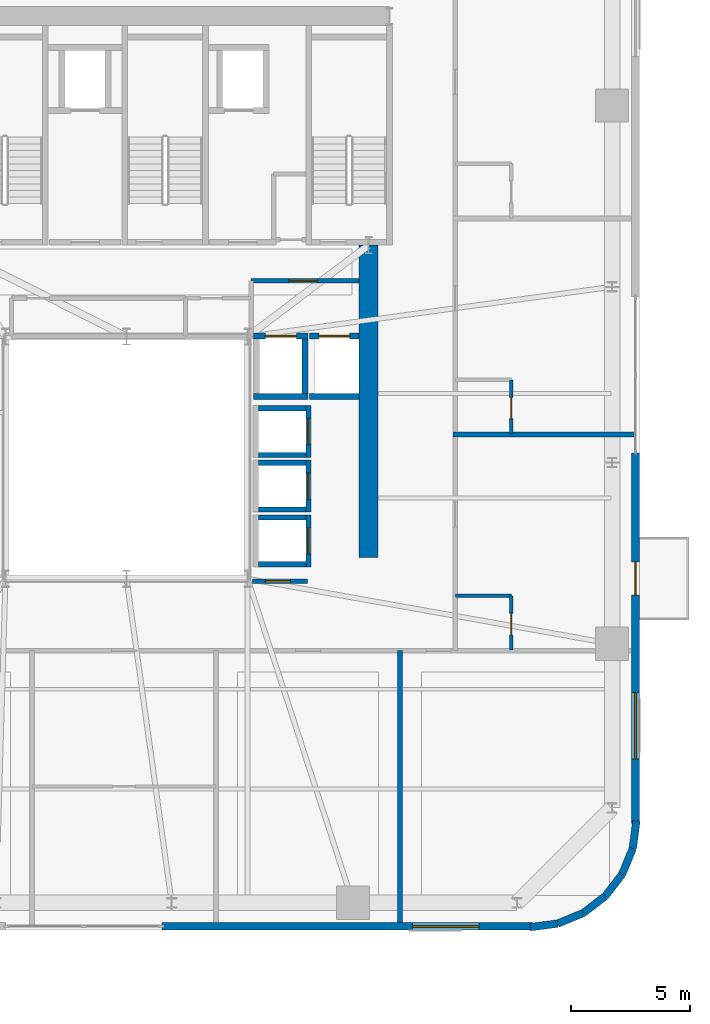
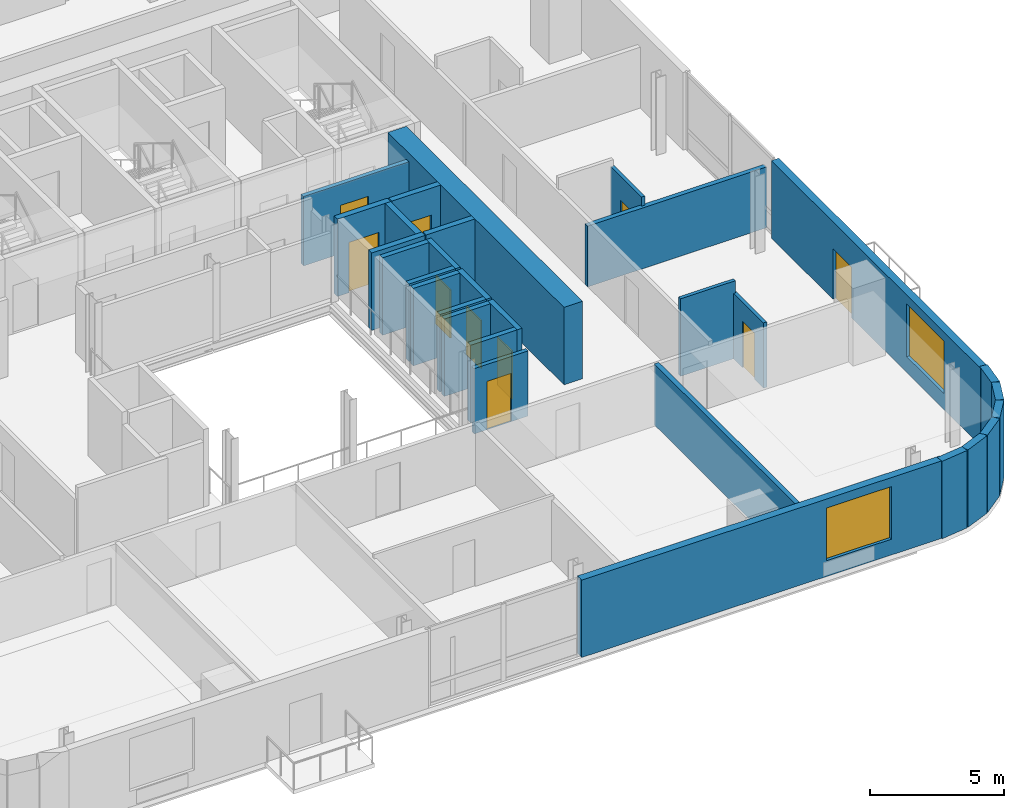
# One storey, part 9 of 16: 30 walls, 10 doors, 2 windows, 12 openings.
"""IFC4 building model written with IfcOpenShell, lengths in metres."""

from ifc_helpers import new_model, si_unit, direction, frame, frame_2d, origin, place, context, subcontext, project, spatial, rectangle, extrude, source, transform, mapped, material, layer, layer_set, type_object, element, fill, save


model = new_model("IFC4")

# Units and contexts
model_context = context("Model", 3, precision=1e-05, world=origin(), true_north=direction((0.0, 1.0)))
body_context = subcontext(model_context, "Body", "Model", "MODEL_VIEW")
ifc_project = project(units=[si_unit("LENGTHUNIT", "METRE"), si_unit("AREAUNIT", "SQUARE_METRE"), si_unit("VOLUMEUNIT", "CUBIC_METRE"), si_unit("PLANEANGLEUNIT", "RADIAN"), si_unit("MASSUNIT", "GRAM", prefix="KILO")], contexts=[model_context])

# Site, building, storey
site_placement = place(None, origin())
site = spatial("IfcSite", under=ifc_project, at=site_placement, CompositionType="ELEMENT")
building_placement = place(site_placement, origin())
building = spatial("IfcBuilding", under=site, at=building_placement, Name="Vardaveli Station Tower", CompositionType="ELEMENT")
storey_placement = place(building_placement, frame((0.0, 0.0, 188.550048828125)))
storey = spatial("IfcBuildingStorey", under=building, at=storey_placement, Name="L48", CompositionType="ELEMENT", Elevation=188.550048828125)

# Wall
ifc_material_1 = material(Name="Concrete C50/60", Category="concrete")
ifc_layer_1 = layer(ifc_material_1, 0.800048828125, Name="Concrete C50/60")
ifc_layer_set_1 = layer_set([ifc_layer_1], Name="Concrete C50/60")
wall_type_1 = type_object("IfcWallType", Name="WAL-CORE-800", PredefinedType="SHEAR", material=ifc_layer_set_1)
shared_shape_1 = source(origin(), body_context, "Body", "SweptSolid", [
    extrude(rectangle(XDim=13.14990234375, YDim=0.800048828125, at=frame_2d((6.574951171875, 0.0))), origin(), (0.0, 0.0, 1.0), 3.530029296875),
])
wall_1_placement = place(storey_placement, frame((46.5, 17.5, 0.0), z_axis=(0.0, 0.0, 1.0), x_axis=(0.0, 1.0, 0.0)))
element("IfcWall", 1, at=wall_1_placement, inside=storey, type_object=wall_type_1, Name="SW-L48-EAST2", PredefinedType="SHEAR", context=body_context, shape_type="MappedRepresentation", body=[
    mapped(shared_shape_1, transform((0.0, 0.0, 0.0), scale=1.0)),
])

# Wall, opening, window
ifc_material_2 = material(Name="Precast concrete C45/55", Category="concrete")
ifc_layer_2 = layer(ifc_material_2, 0.320068359375, Name="Precast concrete C45/55")
ifc_layer_set_2 = layer_set([ifc_layer_2], Name="Precast concrete C45/55")
wall_type_2 = type_object("IfcWallType", Name="WAL-EXT-STONE-320", PredefinedType="SOLIDWALL", material=ifc_layer_set_2)
shared_shape_2 = source(origin(), body_context, "Body", "SweptSolid", [
    extrude(rectangle(XDim=15.599853515625, YDim=0.320068359375, at=frame_2d((7.7998046875, 0.0))), origin(), (0.0, 0.0, 1.0), 3.530029296875),
])
wall_2_placement = place(storey_placement, frame((37.800048828125, 1.9599609375, 0.0), z_axis=(0.0, 0.0, 1.0), x_axis=(1.0, 0.0, 0.0)))
wall_2 = element("IfcWall", 2, at=wall_2_placement, inside=storey, type_object=wall_type_2, Name="EW-L48-S2", PredefinedType="SOLIDWALL", context=body_context, shape_type="MappedRepresentation", body=[
    mapped(shared_shape_2, transform((0.0, 0.0, 0.0), scale=1.0)),
])
shared_shape_3 = source(origin(), body_context, "Body", "SweptSolid", [
    extrude(rectangle(XDim=2.800048828125, YDim=2.39990234375, at=frame_2d((1.39990234375, 1.199951171875))), frame((0.0, 0.169921875, 0.0), z_axis=(0.0, -1.0, 0.0), x_axis=(1.0, 0.0, 0.0)), (0.0, 0.0, 1.0), 0.340087890625),
])
opening_1_placement = place(wall_2_placement, frame((10.544921875, 0.0, 0.719970703125)))
opening_1 = element("IfcOpeningElement", 3, at=opening_1_placement, cuts=wall_2, Name="Opening W-04", PredefinedType="OPENING", context=body_context, shape_type="MappedRepresentation", body=[
    mapped(shared_shape_3, transform((0.0, 0.0, 0.0), scale=1.0)),
])
ifc_material_3 = material(Name="Low-E solar-control glass", Category="glass")
window_type = type_object("IfcWindowType", Name="WIN-SUITE-2800x2400", PartitioningType="SINGLE_PANEL", PredefinedType="WINDOW", material=ifc_material_3)
shared_shape_4 = source(origin(), body_context, "Body", "SweptSolid", [
    extrude(rectangle(XDim=2.800048828125, YDim=2.39990234375, at=frame_2d((1.39990234375, 1.199951171875))), frame((0.0, 0.030029296875, 0.0), z_axis=(0.0, -1.0, 0.0), x_axis=(1.0, 0.0, 0.0)), (0.0, 0.0, 1.0), 0.06005859375),
])
window_1_placement = place(opening_1_placement, origin())
window_1 = element("IfcWindow", 4, at=window_1_placement, inside=storey, type_object=window_type, Name="WN-L48-S2", OverallHeight=2.39990234375, OverallWidth=2.800048828125, PartitioningType="SINGLE_PANEL", PredefinedType="WINDOW", context=body_context, shape_type="MappedRepresentation", body=[
    mapped(shared_shape_4, transform((0.0, 0.0, 0.0), scale=1.0)),
])
fill(opening_1, window_1)

# Wall, openings, door, window
wall_3_placement = place(storey_placement, frame((57.739990234375, 6.300048828125, 0.0), z_axis=(0.0, 0.0, 1.0), x_axis=(0.0, 1.0, 0.0)))
wall_3 = element("IfcWall", 5, at=wall_3_placement, inside=storey, type_object=wall_type_2, Name="EW-L48-E1", PredefinedType="SOLIDWALL", context=body_context, shape_type="MappedRepresentation", body=[
    mapped(shared_shape_2, transform((0.0, 0.0, 0.0), scale=1.0)),
])
shared_shape_5 = source(origin(), body_context, "Body", "SweptSolid", [
    extrude(rectangle(XDim=1.39990234375, YDim=2.300048828125, at=frame_2d((0.699951171875, 1.14990234375))), frame((0.0, 0.169921875, 0.0), z_axis=(0.0, -1.0, 0.0), x_axis=(1.0, 0.0, 0.0)), (0.0, 0.0, 1.0), 0.340087890625),
])
opening_2_placement = place(wall_3_placement, frame((9.6103515625, 0.0, 0.0)))
opening_2 = element("IfcOpeningElement", 6, at=opening_2_placement, cuts=wall_3, Name="Opening D-09", PredefinedType="OPENING", context=body_context, shape_type="MappedRepresentation", body=[
    mapped(shared_shape_5, transform((0.0, 0.0, 0.0), scale=1.0)),
])
opening_3_placement = place(wall_3_placement, frame((2.705078125, 0.0, 0.719970703125)))
opening_3 = element("IfcOpeningElement", 7, at=opening_3_placement, cuts=wall_3, Name="Opening W-04", PredefinedType="OPENING", context=body_context, shape_type="MappedRepresentation", body=[
    mapped(shared_shape_3, transform((0.0, 0.0, 0.0), scale=1.0)),
])
ifc_material_4 = material(Name="Thermally broken aluminium glass", Category="aluminium")
door_type_1 = type_object("IfcDoorType", Name="DR-LOG-1400x2300", OperationType="DOUBLE_DOOR_SLIDING", PredefinedType="DOOR", material=ifc_material_4)
shared_shape_6 = source(origin(), body_context, "Body", "SweptSolid", [
    extrude(rectangle(XDim=1.39990234375, YDim=2.300048828125, at=frame_2d((0.699951171875, 1.14990234375))), frame((0.0, 0.02490234375, 0.0), z_axis=(0.0, -1.0, 0.0), x_axis=(1.0, 0.0, 0.0)), (0.0, 0.0, 1.0), 0.050048828125),
])
door_1_placement = place(opening_2_placement, frame((1.39990234375, 0.0, 0.0), z_axis=(0.0, 0.0, 1.0), x_axis=(-1.0, 0.0, 0.0)))
door_1 = element("IfcDoor", 8, at=door_1_placement, inside=storey, type_object=door_type_1, Name="DLG-L48-E", OperationType="DOUBLE_DOOR_SLIDING", OverallHeight=2.300048828125, OverallWidth=1.39990234375, PredefinedType="DOOR", context=body_context, shape_type="MappedRepresentation", body=[
    mapped(shared_shape_6, transform((0.0, 0.0, 0.0), scale=1.0)),
])
fill(opening_2, door_1)
window_2_placement = place(opening_3_placement, origin())
window_2 = element("IfcWindow", 9, at=window_2_placement, inside=storey, type_object=window_type, Name="WN-L48-E1", OverallHeight=2.39990234375, OverallWidth=2.800048828125, PartitioningType="SINGLE_PANEL", PredefinedType="WINDOW", context=body_context, shape_type="MappedRepresentation", body=[
    mapped(shared_shape_4, transform((0.0, 0.0, 0.0), scale=1.0)),
])
fill(opening_3, window_2)

# Walls
shared_shape_7 = source(origin(), body_context, "Body", "SweptSolid", [
    extrude(rectangle(XDim=1.170654296875, YDim=0.320068359375, at=frame_2d((0.58544921875, 0.0))), origin(), (0.0, 0.0, 1.0), 3.530029296875),
])
wall_4_placement = place(storey_placement, frame((57.62548828125, 5.23974609375, 0.0), z_axis=(0.0, 0.0, 1.0), x_axis=(0.128269133229, 0.991739395941, 0.0)))
element("IfcWall", 10, at=wall_4_placement, inside=storey, type_object=wall_type_2, Name="EW-L48-CR2-6", PredefinedType="SOLIDWALL", context=body_context, shape_type="MappedRepresentation", body=[
    mapped(shared_shape_7, transform((0.0, 0.0, 0.0), scale=1.0)),
])
shared_shape_8 = source(origin(), body_context, "Body", "SweptSolid", [
    extrude(rectangle(XDim=1.1689453125, YDim=0.320068359375, at=frame_2d((0.58447265625, 0.0))), origin(), (0.0, 0.0, 1.0), 3.530029296875),
])
for number, where, z_axis, x_axis, name in (
    (11, (56.46875, 3.231201171875, 0.0), (0.0, 0.0, 1.0), (0.608387696831, 0.793639975269, 0.0), "EW-L48-CR2-4"),
    (12, (57.179931640625, 4.158935546875, 0.0), (0.0, 0.0, 1.0), (0.381127904695, 0.924522320046, 0.0), "EW-L48-CR2-5"),
):
    element("IfcWall", number, at=place(storey_placement, frame(where, z_axis=z_axis, x_axis=x_axis)), inside=storey, type_object=wall_type_2, Name=name, PredefinedType="SOLIDWALL", context=body_context, shape_type="MappedRepresentation", body=[
        mapped(shared_shape_8, transform((0.0, 0.0, 0.0), scale=1.0)),
    ])
shared_shape_9 = source(origin(), body_context, "Body", "SweptSolid", [
    extrude(rectangle(XDim=1.168701171875, YDim=0.320068359375, at=frame_2d((0.58447265625, 0.0))), origin(), (0.0, 0.0, 1.0), 3.530029296875),
])
wall_5_placement = place(storey_placement, frame((55.541259765625, 2.520263671875, 0.0), z_axis=(0.0, 0.0, 1.0), x_axis=(0.793663520347, 0.608356981114, 0.0)))
element("IfcWall", 13, at=wall_5_placement, inside=storey, type_object=wall_type_2, Name="EW-L48-CR2-3", PredefinedType="SOLIDWALL", context=body_context, shape_type="MappedRepresentation", body=[
    mapped(shared_shape_9, transform((0.0, 0.0, 0.0), scale=1.0)),
])
shared_shape_10 = source(origin(), body_context, "Body", "SweptSolid", [
    extrude(rectangle(XDim=1.16943359375, YDim=0.320068359375, at=frame_2d((0.584716796875, 0.0))), origin(), (0.0, 0.0, 1.0), 3.530029296875),
])
wall_6_placement = place(storey_placement, frame((54.460205078125, 2.074462890625, 0.0), z_axis=(0.0, 0.0, 1.0), x_axis=(0.924479075121, 0.381232789334, 0.0)))
element("IfcWall", 14, at=wall_6_placement, inside=storey, type_object=wall_type_2, Name="EW-L48-CR2-2", PredefinedType="SOLIDWALL", context=body_context, shape_type="MappedRepresentation", body=[
    mapped(shared_shape_10, transform((0.0, 0.0, 0.0), scale=1.0)),
])
shared_shape_11 = source(origin(), body_context, "Body", "SweptSolid", [
    extrude(rectangle(XDim=1.170166015625, YDim=0.320068359375, at=frame_2d((0.5849609375, 0.0))), origin(), (0.0, 0.0, 1.0), 3.530029296875),
])
wall_7_placement = place(storey_placement, frame((53.299560546875, 1.924560546875, 0.0), z_axis=(0.0, 0.0, 1.0), x_axis=(0.991762485493, 0.128090485085, 0.0)))
element("IfcWall", 15, at=wall_7_placement, inside=storey, type_object=wall_type_2, Name="EW-L48-CR2-1", PredefinedType="SOLIDWALL", context=body_context, shape_type="MappedRepresentation", body=[
    mapped(shared_shape_11, transform((0.0, 0.0, 0.0), scale=1.0)),
])
ifc_material_5 = material(Name="Concrete C40/50", Category="concrete")
ifc_layer_3 = layer(ifc_material_5, 0.219970703125, Name="Concrete C40/50")
ifc_layer_set_3 = layer_set([ifc_layer_3], Name="Concrete C40/50")
wall_type_3 = type_object("IfcWallType", Name="WAL-FFLOBBY-220", PredefinedType="SOLIDWALL", material=ifc_layer_set_3)
shared_shape_12 = source(origin(), body_context, "Body", "SweptSolid", [
    extrude(rectangle(XDim=2.0, YDim=0.219970703125, at=frame_2d((1.0, 0.0))), origin(), (0.0, 0.0, 1.0), 3.530029296875),
])
for number, where, z_axis, x_axis, name in (
    (16, (41.85009765625, 21.81494140625, 0.0), (0.0, 0.0, 1.0), (1.0, 0.0, 0.0), "SHW-HL3-01-L48-S"),
    (17, (41.85009765625, 23.784912109375, 0.0), (0.0, 0.0, 1.0), (1.0, 0.0, 0.0), "SHW-HL3-01-L48-N"),
    (18, (41.85009765625, 19.514892578125, 0.0), (0.0, 0.0, 1.0), (1.0, 0.0, 0.0), "SHW-HL3-02-L48-S"),
    (19, (41.85009765625, 21.485107421875, 0.0), (0.0, 0.0, 1.0), (1.0, 0.0, 0.0), "SHW-HL3-02-L48-N"),
    (20, (41.85009765625, 17.215087890625, 0.0), (0.0, 0.0, 1.0), (1.0, 0.0, 0.0), "SHW-HL3-03-L48-S"),
    (21, (41.85009765625, 19.18505859375, 0.0), (0.0, 0.0, 1.0), (1.0, 0.0, 0.0), "SHW-HL3-03-L48-N"),
):
    element("IfcWall", number, at=place(storey_placement, frame(where, z_axis=z_axis, x_axis=x_axis)), inside=storey, type_object=wall_type_3, Name=name, PredefinedType="SOLIDWALL", context=body_context, shape_type="MappedRepresentation", body=[
        mapped(shared_shape_12, transform((0.0, 0.0, 0.0), scale=1.0)),
    ])

# Wall, opening, door
shared_shape_13 = source(origin(), body_context, "Body", "SweptSolid", [
    extrude(rectangle(XDim=2.18994140625, YDim=0.219970703125, at=frame_2d((1.094970703125, 0.0))), origin(), (0.0, 0.0, 1.0), 3.530029296875),
])
wall_8_placement = place(storey_placement, frame((43.9599609375, 21.705078125, 0.0), z_axis=(0.0, 0.0, 1.0), x_axis=(0.0, 1.0, 0.0)))
wall_8 = element("IfcWall", 22, at=wall_8_placement, inside=storey, type_object=wall_type_3, Name="SHW-HL3-01-L48-E", PredefinedType="SOLIDWALL", context=body_context, shape_type="MappedRepresentation", body=[
    mapped(shared_shape_13, transform((0.0, 0.0, 0.0), scale=1.0)),
])
shared_shape_14 = source(origin(), body_context, "Body", "SweptSolid", [
    extrude(rectangle(XDim=1.10009765625, YDim=2.199951171875, at=frame_2d((0.550048828125, 1.10009765625))), frame((0.0, 0.1201171875, 0.0), z_axis=(0.0, -1.0, 0.0), x_axis=(1.0, 0.0, 0.0)), (0.0, 0.0, 1.0), 0.239990234375),
])
opening_4_placement = place(wall_8_placement, frame((0.544921875, 0.0, 0.0)))
opening_4 = element("IfcOpeningElement", 23, at=opening_4_placement, cuts=wall_8, Name="Opening LD-01", PredefinedType="OPENING", context=body_context, shape_type="MappedRepresentation", body=[
    mapped(shared_shape_14, transform((0.0, 0.0, 0.0), scale=1.0)),
])
ifc_material_6 = material(Name="Brushed stainless steel", Category="steel")
door_type_2 = type_object("IfcDoorType", Name="DR-LD-1100x2200", OperationType="DOUBLE_DOOR_SLIDING", PredefinedType="DOOR", material=ifc_material_6)
shared_shape_15 = source(origin(), body_context, "Body", "SweptSolid", [
    extrude(rectangle(XDim=1.10009765625, YDim=2.199951171875, at=frame_2d((0.550048828125, 1.10009765625))), frame((0.0, 0.02490234375, 0.0), z_axis=(0.0, -1.0, 0.0), x_axis=(1.0, 0.0, 0.0)), (0.0, 0.0, 1.0), 0.050048828125),
])
door_2_placement = place(opening_4_placement, origin())
door_2 = element("IfcDoor", 24, at=door_2_placement, inside=storey, type_object=door_type_2, Name="LD-HL3-01-L48", OperationType="DOUBLE_DOOR_SLIDING", OverallHeight=2.199951171875, OverallWidth=1.10009765625, PredefinedType="DOOR", context=body_context, shape_type="MappedRepresentation", body=[
    mapped(shared_shape_15, transform((0.0, 0.0, 0.0), scale=1.0)),
])
fill(opening_4, door_2)

wall_9_placement = place(storey_placement, frame((43.9599609375, 19.405029296875, 0.0), z_axis=(0.0, 0.0, 1.0), x_axis=(0.0, 1.0, 0.0)))
wall_9 = element("IfcWall", 25, at=wall_9_placement, inside=storey, type_object=wall_type_3, Name="SHW-HL3-02-L48-E", PredefinedType="SOLIDWALL", context=body_context, shape_type="MappedRepresentation", body=[
    mapped(shared_shape_13, transform((0.0, 0.0, 0.0), scale=1.0)),
])
opening_5_placement = place(wall_9_placement, frame((0.544921875, 0.0, 0.0)))
opening_5 = element("IfcOpeningElement", 26, at=opening_5_placement, cuts=wall_9, Name="Opening LD-01", PredefinedType="OPENING", context=body_context, shape_type="MappedRepresentation", body=[
    mapped(shared_shape_14, transform((0.0, 0.0, 0.0), scale=1.0)),
])
door_3_placement = place(opening_5_placement, origin())
door_3 = element("IfcDoor", 27, at=door_3_placement, inside=storey, type_object=door_type_2, Name="LD-HL3-02-L48", OperationType="DOUBLE_DOOR_SLIDING", OverallHeight=2.199951171875, OverallWidth=1.10009765625, PredefinedType="DOOR", context=body_context, shape_type="MappedRepresentation", body=[
    mapped(shared_shape_15, transform((0.0, 0.0, 0.0), scale=1.0)),
])
fill(opening_5, door_3)

wall_10_placement = place(storey_placement, frame((43.9599609375, 17.10498046875, 0.0), z_axis=(0.0, 0.0, 1.0), x_axis=(0.0, 1.0, 0.0)))
wall_10 = element("IfcWall", 28, at=wall_10_placement, inside=storey, type_object=wall_type_3, Name="SHW-HL3-03-L48-E", PredefinedType="SOLIDWALL", context=body_context, shape_type="MappedRepresentation", body=[
    mapped(shared_shape_13, transform((0.0, 0.0, 0.0), scale=1.0)),
])
opening_6_placement = place(wall_10_placement, frame((0.544921875, 0.0, 0.0)))
opening_6 = element("IfcOpeningElement", 29, at=opening_6_placement, cuts=wall_10, Name="Opening LD-01", PredefinedType="OPENING", context=body_context, shape_type="MappedRepresentation", body=[
    mapped(shared_shape_14, transform((0.0, 0.0, 0.0), scale=1.0)),
])
door_4_placement = place(opening_6_placement, origin())
door_4 = element("IfcDoor", 30, at=door_4_placement, inside=storey, type_object=door_type_2, Name="LD-HL3-03-L48", OperationType="DOUBLE_DOOR_SLIDING", OverallHeight=2.199951171875, OverallWidth=1.10009765625, PredefinedType="DOOR", context=body_context, shape_type="MappedRepresentation", body=[
    mapped(shared_shape_15, transform((0.0, 0.0, 0.0), scale=1.0)),
])
fill(opening_6, door_4)

# Wall
ifc_layer_4 = layer(ifc_material_5, 0.25, Name="Concrete C40/50")
ifc_layer_set_4 = layer_set([ifc_layer_4], Name="Concrete C40/50")
wall_type_4 = type_object("IfcWallType", Name="WAL-SHAFT-250", PredefinedType="SOLIDWALL", material=ifc_layer_set_4)
shared_shape_16 = source(origin(), body_context, "Body", "SweptSolid", [
    extrude(rectangle(XDim=2.300048828125, YDim=0.25, at=frame_2d((1.14990234375, 0.0))), origin(), (0.0, 0.0, 1.0), 3.530029296875),
])
wall_11_placement = place(storey_placement, frame((41.64990234375, 24.27490234375, 0.0), z_axis=(0.0, 0.0, 1.0), x_axis=(1.0, 0.0, 0.0)))
element("IfcWall", 31, at=wall_11_placement, inside=storey, type_object=wall_type_4, Name="SHW-SRV-01-L48-S", PredefinedType="SOLIDWALL", context=body_context, shape_type="MappedRepresentation", body=[
    mapped(shared_shape_16, transform((0.0, 0.0, 0.0), scale=1.0)),
])

# Wall, opening, door
wall_12_placement = place(storey_placement, frame((41.64990234375, 26.824951171875, 0.0), z_axis=(0.0, 0.0, 1.0), x_axis=(1.0, 0.0, 0.0)))
wall_12 = element("IfcWall", 32, at=wall_12_placement, inside=storey, type_object=wall_type_4, Name="SHW-SRV-01-L48-N", PredefinedType="SOLIDWALL", context=body_context, shape_type="MappedRepresentation", body=[
    mapped(shared_shape_16, transform((0.0, 0.0, 0.0), scale=1.0)),
])
shared_shape_17 = source(origin(), body_context, "Body", "SweptSolid", [
    extrude(rectangle(XDim=1.300048828125, YDim=2.300048828125, at=frame_2d((0.64990234375, 1.14990234375))), frame((0.0, 0.135009765625, 0.0), z_axis=(0.0, -1.0, 0.0), x_axis=(1.0, 0.0, 0.0)), (0.0, 0.0, 1.0), 0.27001953125),
])
opening_7_placement = place(wall_12_placement, frame((0.5, 0.0, 0.0)))
opening_7 = element("IfcOpeningElement", 33, at=opening_7_placement, cuts=wall_12, Name="Opening LD-03", PredefinedType="OPENING", context=body_context, shape_type="MappedRepresentation", body=[
    mapped(shared_shape_17, transform((0.0, 0.0, 0.0), scale=1.0)),
])
door_type_3 = type_object("IfcDoorType", Name="DR-LD-1300x2300", OperationType="DOUBLE_DOOR_SLIDING", PredefinedType="DOOR", material=ifc_material_6)
shared_shape_18 = source(origin(), body_context, "Body", "SweptSolid", [
    extrude(rectangle(XDim=1.300048828125, YDim=2.300048828125, at=frame_2d((0.64990234375, 1.14990234375))), frame((0.0, 0.02490234375, 0.0), z_axis=(0.0, -1.0, 0.0), x_axis=(1.0, 0.0, 0.0)), (0.0, 0.0, 1.0), 0.050048828125),
])
door_5_placement = place(opening_7_placement, origin())
door_5 = element("IfcDoor", 34, at=door_5_placement, inside=storey, type_object=door_type_3, Name="LD-SRV-01-L48", OperationType="DOUBLE_DOOR_SLIDING", OverallHeight=2.300048828125, OverallWidth=1.300048828125, PredefinedType="DOOR", context=body_context, shape_type="MappedRepresentation", body=[
    mapped(shared_shape_18, transform((0.0, 0.0, 0.0), scale=1.0)),
])
fill(opening_7, door_5)

# Walls
wall_13_placement = place(storey_placement, frame((43.824951171875, 24.39990234375, 0.0), z_axis=(0.0, 0.0, 1.0), x_axis=(0.0, 1.0, 0.0)))
element("IfcWall", 35, at=wall_13_placement, inside=storey, type_object=wall_type_4, Name="SHW-SRV-01-L48-E", PredefinedType="SOLIDWALL", context=body_context, shape_type="MappedRepresentation", body=[
    mapped(shared_shape_16, transform((0.0, 0.0, 0.0), scale=1.0)),
])
shared_shape_19 = source(origin(), body_context, "Body", "SweptSolid", [
    extrude(rectangle(XDim=2.10009765625, YDim=0.25, at=frame_2d((1.050048828125, 0.0))), origin(), (0.0, 0.0, 1.0), 3.530029296875),
])
wall_14_placement = place(storey_placement, frame((44.0, 24.27490234375, 0.0), z_axis=(0.0, 0.0, 1.0), x_axis=(1.0, 0.0, 0.0)))
element("IfcWall", 36, at=wall_14_placement, inside=storey, type_object=wall_type_4, Name="SHW-SRV-02-L48-S", PredefinedType="SOLIDWALL", context=body_context, shape_type="MappedRepresentation", body=[
    mapped(shared_shape_19, transform((0.0, 0.0, 0.0), scale=1.0)),
])

# Wall, opening, door
wall_15_placement = place(storey_placement, frame((44.0, 26.824951171875, 0.0), z_axis=(0.0, 0.0, 1.0), x_axis=(1.0, 0.0, 0.0)))
wall_15 = element("IfcWall", 37, at=wall_15_placement, inside=storey, type_object=wall_type_4, Name="SHW-SRV-02-L48-N", PredefinedType="SOLIDWALL", context=body_context, shape_type="MappedRepresentation", body=[
    mapped(shared_shape_19, transform((0.0, 0.0, 0.0), scale=1.0)),
])
opening_8_placement = place(wall_15_placement, frame((0.39990234375, 0.0, 0.0)))
opening_8 = element("IfcOpeningElement", 38, at=opening_8_placement, cuts=wall_15, Name="Opening LD-03", PredefinedType="OPENING", context=body_context, shape_type="MappedRepresentation", body=[
    mapped(shared_shape_17, transform((0.0, 0.0, 0.0), scale=1.0)),
])
door_6_placement = place(opening_8_placement, origin())
door_6 = element("IfcDoor", 39, at=door_6_placement, inside=storey, type_object=door_type_3, Name="LD-SRV-02-L48", OperationType="DOUBLE_DOOR_SLIDING", OverallHeight=2.300048828125, OverallWidth=1.300048828125, PredefinedType="DOOR", context=body_context, shape_type="MappedRepresentation", body=[
    mapped(shared_shape_18, transform((0.0, 0.0, 0.0), scale=1.0)),
])
fill(opening_8, door_6)

ifc_material_7 = material(Name="Fire-rated gypsum stud partition")
ifc_layer_5 = layer(ifc_material_7, 0.179931640625, Name="Fire-rated gypsum stud partition")
ifc_layer_set_5 = layer_set([ifc_layer_5], Name="Fire-rated gypsum stud partition")
wall_type_5 = type_object("IfcWallType", Name="WAL-CORR-180", PredefinedType="PARTITIONING", material=ifc_layer_set_5)
shared_shape_20 = source(origin(), body_context, "Body", "SweptSolid", [
    extrude(rectangle(XDim=4.5478515625, YDim=0.179931640625, at=frame_2d((2.27392578125, 0.0))), origin(), (0.0, 0.0, 1.0), 3.161865234375),
])
wall_16_placement = place(storey_placement, frame((41.550048828125, 29.14990234375, 0.0), z_axis=(0.0, 0.0, 1.0), x_axis=(1.0, 0.0, 0.0)))
wall_16 = element("IfcWall", 40, at=wall_16_placement, inside=storey, type_object=wall_type_5, Name="W-L48-SVFN", PredefinedType="PARTITIONING", context=body_context, shape_type="MappedRepresentation", body=[
    mapped(shared_shape_20, transform((0.0, 0.0, 0.0), scale=1.0)),
])
shared_shape_21 = source(origin(), body_context, "Body", "SweptSolid", [
    extrude(rectangle(XDim=1.199951171875, YDim=2.199951171875, at=frame_2d((0.60009765625, 1.10009765625))), frame((0.0, 0.10009765625, 0.0), z_axis=(0.0, -1.0, 0.0), x_axis=(1.0, 0.0, 0.0)), (0.0, 0.0, 1.0), 0.199951171875),
])
opening_9_placement = place(wall_16_placement, frame((1.60009765625, 0.0, 0.0)))
opening_9 = element("IfcOpeningElement", 41, at=opening_9_placement, cuts=wall_16, Name="Opening D-03", PredefinedType="OPENING", context=body_context, shape_type="MappedRepresentation", body=[
    mapped(shared_shape_21, transform((0.0, 0.0, 0.0), scale=1.0)),
])
ifc_material_8 = material(Name="Steel smokeproof fire doorset", Category="steel")
door_type_4 = type_object("IfcDoorType", Name="DR-FFL-1200x2200", OperationType="NOTDEFINED", PredefinedType="DOOR", material=ifc_material_8)
shared_shape_22 = source(origin(), body_context, "Body", "SweptSolid", [
    extrude(rectangle(XDim=1.199951171875, YDim=2.199951171875, at=frame_2d((0.60009765625, 1.10009765625))), frame((0.0, 0.02490234375, 0.0), z_axis=(0.0, -1.0, 0.0), x_axis=(1.0, 0.0, 0.0)), (0.0, 0.0, 1.0), 0.050048828125),
])
door_7_placement = place(opening_9_placement, origin())
door_7 = element("IfcDoor", 42, at=door_7_placement, inside=storey, type_object=door_type_4, Name="D-L48-SVF", OperationType="SINGLE_SWING_LEFT", OverallHeight=2.199951171875, OverallWidth=1.199951171875, PredefinedType="DOOR", context=body_context, shape_type="MappedRepresentation", body=[
    mapped(shared_shape_22, transform((0.0, 0.0, 0.0), scale=1.0)),
])
fill(opening_9, door_7)

shared_shape_23 = source(origin(), body_context, "Body", "SweptSolid", [
    extrude(rectangle(XDim=2.329833984375, YDim=0.179931640625, at=frame_2d((1.1650390625, 0.0))), origin(), (0.0, 0.0, 1.0), 2.971923828125),
])
wall_17_placement = place(storey_placement, frame((41.60009765625, 16.5, 0.0), z_axis=(0.0, 0.0, 1.0), x_axis=(1.0, 0.0, 0.0)))
wall_17 = element("IfcWall", 43, at=wall_17_placement, inside=storey, type_object=wall_type_5, Name="W-L48-ATE-S", PredefinedType="PARTITIONING", context=body_context, shape_type="MappedRepresentation", body=[
    mapped(shared_shape_23, transform((0.0, 0.0, 0.0), scale=1.0)),
])
shared_shape_24 = source(origin(), body_context, "Body", "SweptSolid", [
    extrude(rectangle(XDim=1.050048828125, YDim=2.199951171875, at=frame_2d((0.52490234375, 1.10009765625))), frame((0.0, 0.10009765625, 0.0), z_axis=(0.0, -1.0, 0.0), x_axis=(1.0, 0.0, 0.0)), (0.0, 0.0, 1.0), 0.199951171875),
])
opening_10_placement = place(wall_17_placement, frame((0.550048828125, 0.0, 0.0)))
opening_10 = element("IfcOpeningElement", 44, at=opening_10_placement, cuts=wall_17, Name="Opening D-05", PredefinedType="OPENING", context=body_context, shape_type="MappedRepresentation", body=[
    mapped(shared_shape_24, transform((0.0, 0.0, 0.0), scale=1.0)),
])
ifc_material_9 = material(Name="Walnut veneer acoustic fire door")
door_type_5 = type_object("IfcDoorType", Name="DR-SUITE-1050x2200", OperationType="NOTDEFINED", PredefinedType="DOOR", material=ifc_material_9)
shared_shape_25 = source(origin(), body_context, "Body", "SweptSolid", [
    extrude(rectangle(XDim=1.050048828125, YDim=2.199951171875, at=frame_2d((0.52490234375, 1.10009765625))), frame((0.0, 0.02490234375, 0.0), z_axis=(0.0, -1.0, 0.0), x_axis=(1.0, 0.0, 0.0)), (0.0, 0.0, 1.0), 0.050048828125),
])
door_8_placement = place(opening_10_placement, origin())
door_8 = element("IfcDoor", 45, at=door_8_placement, inside=storey, type_object=door_type_5, Name="D-L48-ATE1", OperationType="SINGLE_SWING_RIGHT", OverallHeight=2.199951171875, OverallWidth=1.050048828125, PredefinedType="DOOR", context=body_context, shape_type="MappedRepresentation", body=[
    mapped(shared_shape_25, transform((0.0, 0.0, 0.0), scale=1.0)),
])
fill(opening_10, door_8)

ifc_material_10 = material(Name="Moisture-resistant stud partition")
ifc_layer_6 = layer(ifc_material_10, 0.14990234375, Name="Moisture-resistant stud partition")
ifc_layer_set_6 = layer_set([ifc_layer_6], Name="Moisture-resistant stud partition")
wall_type_6 = type_object("IfcWallType", Name="WAL-WET-150", PredefinedType="PARTITIONING", material=ifc_layer_set_6)
shared_shape_26 = source(origin(), body_context, "Body", "SweptSolid", [
    extrude(rectangle(XDim=2.289794921875, YDim=0.14990234375, at=frame_2d((1.14501953125, 0.0))), origin(), (0.0, 0.0, 1.0), 2.971923828125),
])
wall_18_placement = place(storey_placement, frame((52.510009765625, 13.590087890625, 0.0), z_axis=(0.0, 0.0, 1.0), x_axis=(0.0, 1.0, 0.0)))
wall_18 = element("IfcWall", 46, at=wall_18_placement, inside=storey, type_object=wall_type_6, Name="W-L48-BE1-E", PredefinedType="PARTITIONING", context=body_context, shape_type="MappedRepresentation", body=[
    mapped(shared_shape_26, transform((0.0, 0.0, 0.0), scale=1.0)),
])
shared_shape_27 = source(origin(), body_context, "Body", "SweptSolid", [
    extrude(rectangle(XDim=0.89990234375, YDim=2.10009765625, at=frame_2d((0.449951171875, 1.050048828125))), frame((0.0, 0.0849609375, 0.0), z_axis=(0.0, -1.0, 0.0), x_axis=(1.0, 0.0, 0.0)), (0.0, 0.0, 1.0), 0.169921875),
])
opening_11_placement = place(wall_18_placement, frame((0.64990234375, 0.0, 0.0)))
opening_11 = element("IfcOpeningElement", 47, at=opening_11_placement, cuts=wall_18, Name="Opening D-08", PredefinedType="OPENING", context=body_context, shape_type="MappedRepresentation", body=[
    mapped(shared_shape_27, transform((0.0, 0.0, 0.0), scale=1.0)),
])
ifc_material_11 = material(Name="Moisture-resistant oak door")
door_type_6 = type_object("IfcDoorType", Name="DR-BATH-900x2100", OperationType="NOTDEFINED", PredefinedType="DOOR", material=ifc_material_11)
shared_shape_28 = source(origin(), body_context, "Body", "SweptSolid", [
    extrude(rectangle(XDim=0.89990234375, YDim=2.10009765625, at=frame_2d((0.449951171875, 1.050048828125))), frame((0.0, 0.02490234375, 0.0), z_axis=(0.0, -1.0, 0.0), x_axis=(1.0, 0.0, 0.0)), (0.0, 0.0, 1.0), 0.050048828125),
])
door_9_placement = place(opening_11_placement, origin())
door_9 = element("IfcDoor", 48, at=door_9_placement, inside=storey, type_object=door_type_6, Name="D-L48-BE1", OperationType="SINGLE_SWING_RIGHT", OverallHeight=2.10009765625, OverallWidth=0.89990234375, PredefinedType="DOOR", context=body_context, shape_type="MappedRepresentation", body=[
    mapped(shared_shape_28, transform((0.0, 0.0, 0.0), scale=1.0)),
])
fill(opening_11, door_9)

# Walls
ifc_material_12 = material(Name="Acoustic twin-stud gypsum partition")
ifc_layer_7 = layer(ifc_material_12, 0.199951171875, Name="Acoustic twin-stud gypsum partition")
ifc_layer_set_7 = layer_set([ifc_layer_7], Name="Acoustic twin-stud gypsum partition")
wall_type_7 = type_object("IfcWallType", Name="WAL-PARTY-200", PredefinedType="PARTITIONING", material=ifc_layer_set_7)
shared_shape_29 = source(origin(), body_context, "Body", "SweptSolid", [
    extrude(rectangle(XDim=7.719970703125, YDim=0.199951171875, at=frame_2d((3.85986328125, 0.0))), origin(), (0.0, 0.0, 1.0), 2.77197265625),
])
wall_19_placement = place(storey_placement, frame((50.050048828125, 22.673095703125, 0.0), z_axis=(0.0, 0.0, 1.0), x_axis=(1.0, 0.0, 0.0)))
element("IfcWall", 49, at=wall_19_placement, inside=storey, type_object=wall_type_7, Name="W-L48-PE1", PredefinedType="PARTITIONING", context=body_context, shape_type="MappedRepresentation", body=[
    mapped(shared_shape_29, transform((0.0, 0.0, 0.0), scale=1.0)),
])
shared_shape_30 = source(origin(), body_context, "Body", "SweptSolid", [
    extrude(rectangle(XDim=2.360107421875, YDim=0.14990234375, at=frame_2d((1.18017578125, 0.0))), origin(), (0.0, 0.0, 1.0), 3.530029296875),
])
wall_20_placement = place(storey_placement, frame((50.14990234375, 15.8798828125, 0.0), z_axis=(0.0, 0.0, 1.0), x_axis=(1.0, 0.0, 0.0)))
element("IfcWall", 50, at=wall_20_placement, inside=storey, type_object=wall_type_6, Name="W-L48-BE1-N", PredefinedType="PARTITIONING", context=body_context, shape_type="MappedRepresentation", body=[
    mapped(shared_shape_30, transform((0.0, 0.0, 0.0), scale=1.0)),
])

# Wall, opening, door
shared_shape_31 = source(origin(), body_context, "Body", "SweptSolid", [
    extrude(rectangle(XDim=2.289794921875, YDim=0.14990234375, at=frame_2d((1.14501953125, 0.0))), origin(), (0.0, 0.0, 1.0), 3.19189453125),
])
wall_21_placement = place(storey_placement, frame((52.510009765625, 22.693115234375, 0.0), z_axis=(0.0, 0.0, 1.0), x_axis=(0.0, 1.0, 0.0)))
wall_21 = element("IfcWall", 51, at=wall_21_placement, inside=storey, type_object=wall_type_6, Name="W-L48-BE2-E", PredefinedType="PARTITIONING", context=body_context, shape_type="MappedRepresentation", body=[
    mapped(shared_shape_31, transform((0.0, 0.0, 0.0), scale=1.0)),
])
opening_12_placement = place(wall_21_placement, frame((0.64990234375, 0.0, 0.0)))
opening_12 = element("IfcOpeningElement", 52, at=opening_12_placement, cuts=wall_21, Name="Opening D-08", PredefinedType="OPENING", context=body_context, shape_type="MappedRepresentation", body=[
    mapped(shared_shape_27, transform((0.0, 0.0, 0.0), scale=1.0)),
])
door_10_placement = place(opening_12_placement, origin())
door_10 = element("IfcDoor", 53, at=door_10_placement, inside=storey, type_object=door_type_6, Name="D-L48-BE2", OperationType="SINGLE_SWING_LEFT", OverallHeight=2.10009765625, OverallWidth=0.89990234375, PredefinedType="DOOR", context=body_context, shape_type="MappedRepresentation", body=[
    mapped(shared_shape_28, transform((0.0, 0.0, 0.0), scale=1.0)),
])
fill(opening_12, door_10)

# Wall
shared_shape_32 = source(origin(), body_context, "Body", "SweptSolid", [
    extrude(rectangle(XDim=11.447998046875, YDim=0.199951171875, at=frame_2d((5.72412109375, 0.0))), origin(), (0.0, 0.0, 1.0), 2.77197265625),
])
wall_22_placement = place(storey_placement, frame((47.820068359375, 2.1220703125, 0.0), z_axis=(0.0, 0.0, 1.0), x_axis=(0.0, 1.0, 0.0)))
element("IfcWall", 54, at=wall_22_placement, inside=storey, type_object=wall_type_7, Name="W-L48-PS4", PredefinedType="PARTITIONING", context=body_context, shape_type="MappedRepresentation", body=[
    mapped(shared_shape_32, transform((0.0, 0.0, 0.0), scale=1.0)),
])

save(model, "model.ifc")
